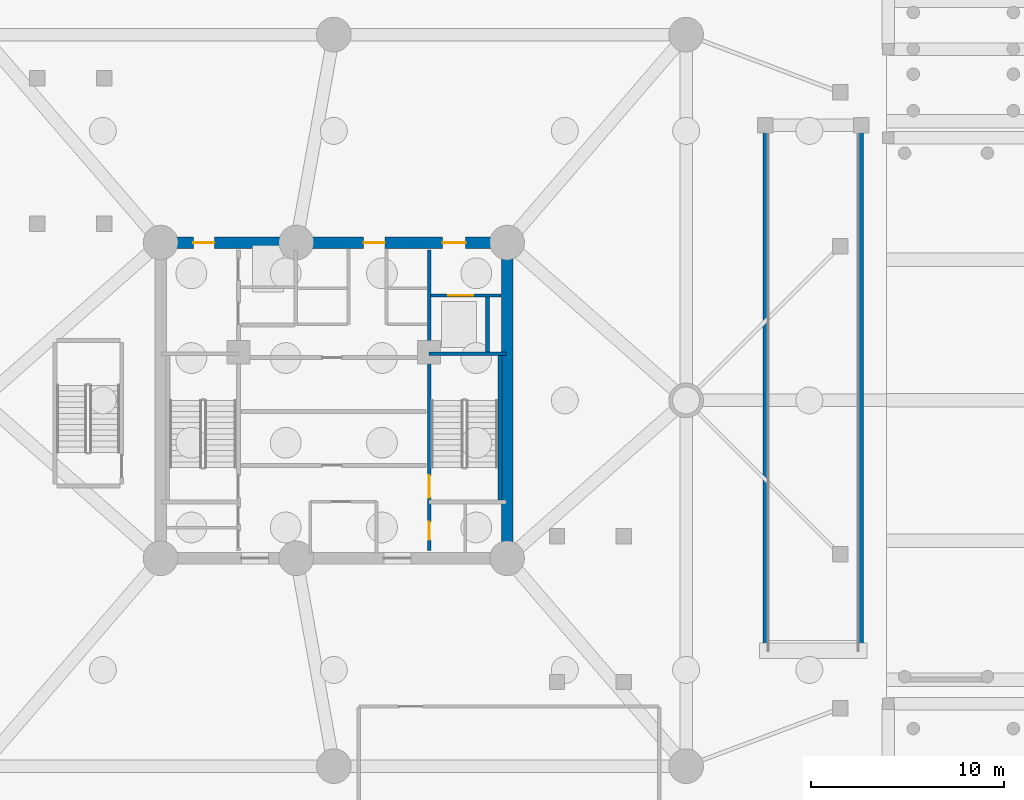
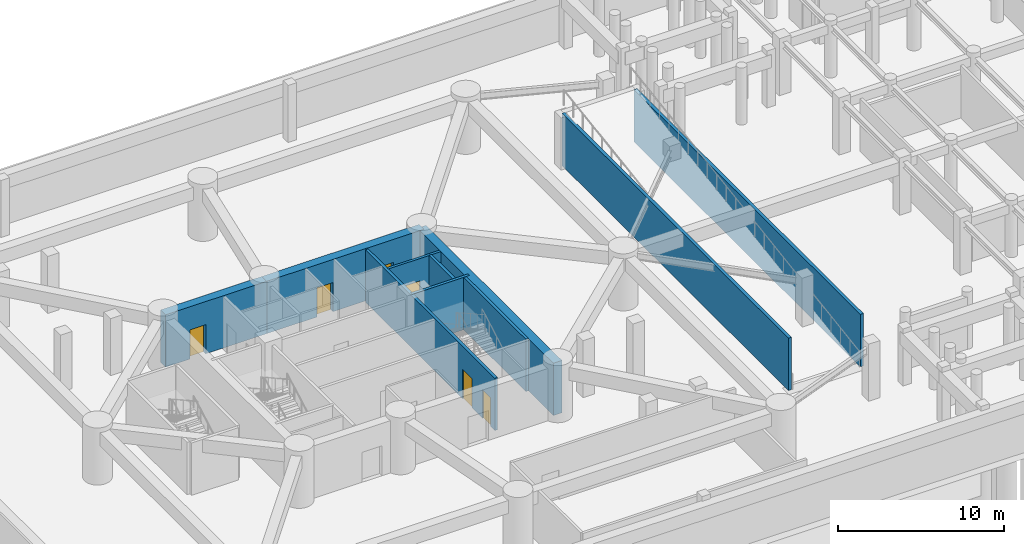
# One storey, part 6 of 13: 10 walls, 6 doors, 6 openings.
"""IFC4 building model written with IfcOpenShell, lengths in metres."""

from ifc_helpers import new_model, si_unit, direction, frame, frame_2d, origin, origin_with_axes, place, context, subcontext, project, spatial, rectangle, extrude, source, transform, mapped, material, layer, layer_set, type_object, element, fill, save


model = new_model("IFC4")

# Units and contexts
model_context = context("Model", 3, precision=1e-05, world=origin(), true_north=direction((0.0, 1.0)))
body_context = subcontext(model_context, "Body", "Model", "MODEL_VIEW")
ifc_project = project(units=[si_unit("LENGTHUNIT", "METRE"), si_unit("AREAUNIT", "SQUARE_METRE"), si_unit("VOLUMEUNIT", "CUBIC_METRE"), si_unit("PLANEANGLEUNIT", "RADIAN"), si_unit("MASSUNIT", "GRAM", prefix="KILO")], contexts=[model_context])

# Site, building, storey
site_placement = place(None, origin())
site = spatial("IfcSite", under=ifc_project, at=site_placement, CompositionType="ELEMENT")
building_placement = place(site_placement, origin())
building = spatial("IfcBuilding", under=site, at=building_placement, Name="Karkom Vertical University and Central Library", CompositionType="ELEMENT")
storey_placement = place(building_placement, frame((0.0, 0.0, -8.39990234375)))
storey = spatial("IfcBuildingStorey", under=building, at=storey_placement, Name="B02", CompositionType="ELEMENT", Elevation=-8.39990234375)

# Wall, opening, door
ifc_material_1 = material(Name="Twin-stud acoustic drywall 180mm", Category="gypsum")
ifc_layer_1 = layer(ifc_material_1, 0.179931640625)
ifc_layer_set_1 = layer_set([ifc_layer_1], Name="Twin-stud acoustic drywall 180mm")
wall_type_1 = type_object("IfcWallType", Name="INT-WL-TEN-180F", PredefinedType="PARTITIONING", material=ifc_layer_set_1)
wall_1_placement = place(storey_placement, frame((33.534912109375, 31.949951171875, 0.0), z_axis=(0.0, 0.0, 1.0), x_axis=(1.0, 0.0, 0.0)))
wall_1 = element("IfcWall", 1, at=wall_1_placement, inside=storey, type_object=wall_type_1, Name="Basement 02 Interior Partition Wall B02-CW-SVL-N", PredefinedType="PARTITIONING", context=body_context, shape_type="SweptSolid", body=[
    extrude(rectangle(XDim=3.658447265625, YDim=0.179931640625, at=frame_2d((1.8291015625, 0.0))), origin(), (0.0, 0.0, 1.0), 3.849853515625),
])
opening_1_placement = place(wall_1_placement, frame((0.89990234375, 0.0, 0.0)))
opening_1 = element("IfcOpeningElement", 2, at=opening_1_placement, cuts=wall_1, Name="Opening LD-SV1", PredefinedType="OPENING", context=body_context, shape_type="SweptSolid", body=[
    extrude(rectangle(XDim=1.300048828125, YDim=2.199951171875, at=frame_2d((0.64990234375, 1.10009765625))), frame((0.0, 0.10009765625, 0.0), z_axis=(0.0, -1.0, 0.0), x_axis=(1.0, 0.0, 0.0)), (0.0, 0.0, 1.0), 0.199951171875),
])
ifc_material_2 = material(Name="Brushed stainless-steel landing door", Category="steel")
door_type_1 = type_object("IfcDoorType", Name="INT-DR-LD-SV1", OperationType="SLIDING_TO_LEFT", PredefinedType="DOOR", material=ifc_material_2)
shared_shape_1 = source(origin_with_axes(), body_context, "Body", "SweptSolid", [
    extrude(rectangle(XDim=1.300048828125, YDim=2.199951171875, at=frame_2d((0.64990234375, 1.10009765625))), frame((0.0, 0.02490234375, 0.0), z_axis=(0.0, -1.0, 0.0), x_axis=(1.0, 0.0, 0.0)), (0.0, 0.0, 1.0), 0.050048828125),
])
door_1_placement = place(opening_1_placement, origin())
door_1 = element("IfcDoor", 3, at=door_1_placement, inside=storey, type_object=door_type_1, Name="Basement 02 Service Lift Landing Door LD-SV1", OperationType="SLIDING_TO_LEFT", OverallHeight=2.199951171875, OverallWidth=1.300048828125, PredefinedType="DOOR", context=body_context, shape_type="MappedRepresentation", body=[
    mapped(shared_shape_1, transform((0.0, 0.0, 0.0), scale=1.0)),
])
fill(opening_1, door_1)

# Walls
ifc_material_3 = material(Name="Concrete C45/55", Category="concrete")
ifc_layer_2 = layer(ifc_material_3, 0.219970703125)
ifc_layer_set_2 = layer_set([ifc_layer_2], Name="Concrete C45/55")
wall_type_2 = type_object("IfcWallType", Name="STR-WL-CW-220", PredefinedType="SHEAR", material=ifc_layer_set_2)
for number, where, z_axis, x_axis, name in (
    (4, (50.89990234375, 13.5, 0.0), (0.0, 0.0, 1.0), (0.0, 1.0, 0.0), "Basement 02 Core Shaft Wall B02-W-RMP1-W"),
    (5, (55.89990234375, 13.5, 0.0), (0.0, 0.0, 1.0), (0.0, 1.0, 0.0), "Basement 02 Core Shaft Wall B02-W-RMP1-E"),
):
    element("IfcWall", number, at=place(storey_placement, frame(where, z_axis=z_axis, x_axis=x_axis)), inside=storey, type_object=wall_type_2, Name=name, PredefinedType="SHEAR", context=body_context, shape_type="SweptSolid", body=[
        extrude(rectangle(XDim=27.300048828125, YDim=0.219970703125, at=frame_2d((13.64990234375, 0.0))), origin(), (0.0, 0.0, 1.0), 3.849853515625),
    ])
ifc_material_4 = material(Name="Concrete C50/60", Category="concrete")
ifc_layer_3 = layer(ifc_material_4, 0.60009765625)
ifc_layer_set_3 = layer_set([ifc_layer_3], Name="Concrete C50/60")
wall_type_3 = type_object("IfcWallType", Name="STR-WL-CW-600", PredefinedType="SHEAR", material=ifc_layer_set_3)
wall_2_placement = place(storey_placement, frame((37.5, 18.300048828125, 0.0), z_axis=(0.0, 0.0, 1.0), x_axis=(0.0, 1.0, 0.0)))
element("IfcWall", 6, at=wall_2_placement, inside=storey, type_object=wall_type_3, Name="Basement 02 Central Core Shear Wall EW", PredefinedType="SHEAR", context=body_context, shape_type="SweptSolid", body=[
    extrude(rectangle(XDim=16.39990234375, YDim=0.60009765625, at=frame_2d((8.199951171875, 0.0))), origin(), (0.0, 0.0, 1.0), 3.849853515625),
])

# Wall, openings, doors
wall_3_placement = place(storey_placement, frame((37.5, 34.699951171875, 0.0), z_axis=(0.0, 0.0, 1.0), x_axis=(-1.0, 0.0, 0.0)))
wall_3 = element("IfcWall", 7, at=wall_3_placement, inside=storey, type_object=wall_type_3, Name="Basement 02 Central Core Shear Wall NW1", PredefinedType="SHEAR", context=body_context, shape_type="SweptSolid", body=[
    extrude(rectangle(XDim=10.949951171875, YDim=0.60009765625, at=frame_2d((5.47509765625, 0.0))), origin(), (0.0, 0.0, 1.0), 3.849853515625),
])
opening_2_placement = place(wall_3_placement, frame((2.14990234375, 0.0, 0.0)))
opening_2 = element("IfcOpeningElement", 8, at=opening_2_placement, cuts=wall_3, Name="Opening FD-SUB1", PredefinedType="OPENING", context=body_context, shape_type="SweptSolid", body=[
    extrude(rectangle(XDim=1.199951171875, YDim=2.14990234375, at=frame_2d((0.60009765625, 1.074951171875))), frame((0.0, 0.31005859375, 0.0), z_axis=(0.0, -1.0, 0.0), x_axis=(1.0, 0.0, 0.0)), (0.0, 0.0, 1.0), 0.6201171875),
])
opening_3_placement = place(wall_3_placement, frame((6.35009765625, 0.0, 0.0)))
opening_3 = element("IfcOpeningElement", 9, at=opening_3_placement, cuts=wall_3, Name="Opening FD-FFL", PredefinedType="OPENING", context=body_context, shape_type="SweptSolid", body=[
    extrude(rectangle(XDim=1.10009765625, YDim=2.14990234375, at=frame_2d((0.550048828125, 1.074951171875))), frame((0.0, 0.31005859375, 0.0), z_axis=(0.0, -1.0, 0.0), x_axis=(1.0, 0.0, 0.0)), (0.0, 0.0, 1.0), 0.6201171875),
])
ifc_material_5 = material(Name="Painted steel smoke-seal fire door", Category="steel")
door_type_2 = type_object("IfcDoorType", Name="INT-DR-FFL", OperationType="NOTDEFINED", PredefinedType="DOOR", material=ifc_material_5)
shared_shape_2 = source(origin_with_axes(), body_context, "Body", "SweptSolid", [
    extrude(rectangle(XDim=1.10009765625, YDim=2.14990234375, at=frame_2d((0.550048828125, 1.074951171875))), frame((0.0, 0.02490234375, 0.0), z_axis=(0.0, -1.0, 0.0), x_axis=(1.0, 0.0, 0.0)), (0.0, 0.0, 1.0), 0.050048828125),
])
door_2_placement = place(opening_3_placement, origin())
door_2 = element("IfcDoor", 10, at=door_2_placement, inside=storey, type_object=door_type_2, Name="Basement 02 North Core Lobby Exit Door", OperationType="SINGLE_SWING_RIGHT", OverallHeight=2.14990234375, OverallWidth=1.10009765625, PredefinedType="DOOR", context=body_context, shape_type="MappedRepresentation", body=[
    mapped(shared_shape_2, transform((0.0, 0.0, 0.0), scale=1.0)),
])
fill(opening_3, door_2)
ifc_material_6 = material(Name="Painted steel fire door", Category="steel")
door_type_3 = type_object("IfcDoorType", Name="INT-DR-SUB1", OperationType="NOTDEFINED", PredefinedType="DOOR", material=ifc_material_6)
shared_shape_3 = source(origin_with_axes(), body_context, "Body", "SweptSolid", [
    extrude(rectangle(XDim=1.199951171875, YDim=2.14990234375, at=frame_2d((0.60009765625, 1.074951171875))), frame((0.0, 0.02490234375, 0.0), z_axis=(0.0, -1.0, 0.0), x_axis=(1.0, 0.0, 0.0)), (0.0, 0.0, 1.0), 0.050048828125),
])
door_3_placement = place(opening_2_placement, origin())
door_3 = element("IfcDoor", 11, at=door_3_placement, inside=storey, type_object=door_type_3, Name="Basement 02 Service Lobby Fire Door", OperationType="SINGLE_SWING_LEFT", OverallHeight=2.14990234375, OverallWidth=1.199951171875, PredefinedType="DOOR", context=body_context, shape_type="MappedRepresentation", body=[
    mapped(shared_shape_3, transform((0.0, 0.0, 0.0), scale=1.0)),
])
fill(opening_2, door_3)

# Wall, opening, door
wall_4_placement = place(storey_placement, frame((26.550048828125, 34.699951171875, 0.0), z_axis=(0.0, 0.0, 1.0), x_axis=(-1.0, 0.0, 0.0)))
wall_4 = element("IfcWall", 12, at=wall_4_placement, inside=storey, type_object=wall_type_3, Name="Basement 02 Central Core Shear Wall NW2", PredefinedType="SHEAR", context=body_context, shape_type="SweptSolid", body=[
    extrude(rectangle(XDim=7.050048828125, YDim=0.60009765625, at=frame_2d((3.52490234375, 0.0))), origin(), (0.0, 0.0, 1.0), 3.849853515625),
])
opening_4_placement = place(wall_4_placement, frame((4.25, 0.0, 0.0)))
opening_4 = element("IfcOpeningElement", 13, at=opening_4_placement, cuts=wall_4, Name="Opening FD-FFL", PredefinedType="OPENING", context=body_context, shape_type="SweptSolid", body=[
    extrude(rectangle(XDim=1.10009765625, YDim=2.14990234375, at=frame_2d((0.550048828125, 1.074951171875))), frame((0.0, 0.31005859375, 0.0), z_axis=(0.0, -1.0, 0.0), x_axis=(1.0, 0.0, 0.0)), (0.0, 0.0, 1.0), 0.6201171875),
])
door_4_placement = place(opening_4_placement, origin())
door_4 = element("IfcDoor", 14, at=door_4_placement, inside=storey, type_object=door_type_2, Name="Basement 02 Firefighting Lobby Door", OperationType="SINGLE_SWING_LEFT", OverallHeight=2.14990234375, OverallWidth=1.10009765625, PredefinedType="DOOR", context=body_context, shape_type="MappedRepresentation", body=[
    mapped(shared_shape_2, transform((0.0, 0.0, 0.0), scale=1.0)),
])
fill(opening_4, door_4)

# Wall, openings, doors
ifc_layer_4 = layer(ifc_material_3, 0.199951171875)
ifc_layer_set_4 = layer_set([ifc_layer_4], Name="Concrete C45/55")
wall_type_4 = type_object("IfcWallType", Name="STR-WL-ST-200", PredefinedType="SHEAR", material=ifc_layer_set_4)
wall_5_placement = place(storey_placement, frame((33.455078125, 18.699951171875, 0.0), z_axis=(0.0, 0.0, 1.0), x_axis=(0.0, 1.0, 0.0)))
wall_5 = element("IfcWall", 15, at=wall_5_placement, inside=storey, type_object=wall_type_4, Name="Basement 02 Core Shaft Wall B02-CW-ST2-W", PredefinedType="SHEAR", context=body_context, shape_type="SweptSolid", body=[
    extrude(rectangle(XDim=15.60009765625, YDim=0.199951171875, at=frame_2d((7.800048828125, 0.0))), origin(), (0.0, 0.0, 1.0), 3.849853515625),
])
opening_5_placement = place(wall_5_placement, frame((2.75, 0.0, 0.0)))
opening_5 = element("IfcOpeningElement", 16, at=opening_5_placement, cuts=wall_5, Name="Opening FD-ST1", PredefinedType="OPENING", context=body_context, shape_type="SweptSolid", body=[
    extrude(rectangle(XDim=1.14990234375, YDim=2.14990234375, at=frame_2d((0.574951171875, 1.074951171875))), frame((0.0, 0.10986328125, 0.0), z_axis=(0.0, -1.0, 0.0), x_axis=(1.0, 0.0, 0.0)), (0.0, 0.0, 1.0), 0.219970703125),
])
opening_6_placement = place(wall_5_placement, frame((0.550048828125, 0.0, 0.0)))
opening_6 = element("IfcOpeningElement", 17, at=opening_6_placement, cuts=wall_5, Name="Opening D-WC1", PredefinedType="OPENING", context=body_context, shape_type="SweptSolid", body=[
    extrude(rectangle(XDim=0.93994140625, YDim=2.10009765625, at=frame_2d((0.469970703125, 1.050048828125))), frame((0.0, 0.10986328125, 0.0), z_axis=(0.0, -1.0, 0.0), x_axis=(1.0, 0.0, 0.0)), (0.0, 0.0, 1.0), 0.219970703125),
])
ifc_material_7 = material(Name="Painted steel acoustic fire door", Category="steel")
door_type_4 = type_object("IfcDoorType", Name="INT-DR-ST1", OperationType="NOTDEFINED", PredefinedType="DOOR", material=ifc_material_7)
shared_shape_4 = source(origin_with_axes(), body_context, "Body", "SweptSolid", [
    extrude(rectangle(XDim=1.14990234375, YDim=2.14990234375, at=frame_2d((0.574951171875, 1.074951171875))), frame((0.0, 0.02490234375, 0.0), z_axis=(0.0, -1.0, 0.0), x_axis=(1.0, 0.0, 0.0)), (0.0, 0.0, 1.0), 0.050048828125),
])
door_5_placement = place(opening_5_placement, origin())
door_5 = element("IfcDoor", 18, at=door_5_placement, inside=storey, type_object=door_type_4, Name="Basement 02 Stair ST-2 Fire Door", OperationType="SINGLE_SWING_RIGHT", OverallHeight=2.14990234375, OverallWidth=1.14990234375, PredefinedType="DOOR", context=body_context, shape_type="MappedRepresentation", body=[
    mapped(shared_shape_4, transform((0.0, 0.0, 0.0), scale=1.0)),
])
fill(opening_5, door_5)
ifc_material_8 = material(Name="Fire-rated laminate moisture-resistant door", Category="wood")
door_type_5 = type_object("IfcDoorType", Name="INT-DR-WC1", OperationType="NOTDEFINED", PredefinedType="DOOR", material=ifc_material_8)
shared_shape_5 = source(origin_with_axes(), body_context, "Body", "SweptSolid", [
    extrude(rectangle(XDim=0.93994140625, YDim=2.10009765625, at=frame_2d((0.469970703125, 1.050048828125))), frame((0.0, 0.02490234375, 0.0), z_axis=(0.0, -1.0, 0.0), x_axis=(1.0, 0.0, 0.0)), (0.0, 0.0, 1.0), 0.050048828125),
])
door_6_placement = place(opening_6_placement, origin())
door_6 = element("IfcDoor", 19, at=door_6_placement, inside=storey, type_object=door_type_5, Name="Basement 02 Accessible WC Door", OperationType="SINGLE_SWING_RIGHT", OverallHeight=2.10009765625, OverallWidth=0.93994140625, PredefinedType="DOOR", context=body_context, shape_type="MappedRepresentation", body=[
    mapped(shared_shape_5, transform((0.0, 0.0, 0.0), scale=1.0)),
])
fill(opening_6, door_6)

# Walls
wall_6_placement = place(storey_placement, frame((37.125, 21.320068359375, 0.0), z_axis=(0.0, 0.0, 1.0), x_axis=(0.0, 1.0, 0.0)))
element("IfcWall", 20, at=wall_6_placement, inside=storey, type_object=wall_type_4, Name="Basement 02 Core Shaft Wall B02-CW-ST2-E", PredefinedType="SHEAR", context=body_context, shape_type="SweptSolid", body=[
    extrude(rectangle(XDim=7.5, YDim=0.199951171875, at=frame_2d((3.75, 0.0))), origin(), (0.0, 0.0, 1.0), 3.849853515625),
])
wall_7_placement = place(storey_placement, frame((33.455078125, 28.925048828125, 0.0), z_axis=(0.0, 0.0, 1.0), x_axis=(1.0, 0.0, 0.0)))
element("IfcWall", 21, at=wall_7_placement, inside=storey, type_object=wall_type_4, Name="Basement 02 Core Shaft Wall B02-CW-ST2-N", PredefinedType="SHEAR", context=body_context, shape_type="SweptSolid", body=[
    extrude(rectangle(XDim=3.994873046875, YDim=0.199951171875, at=frame_2d((1.99755859375, 0.0))), origin(), (0.0, 0.0, 1.0), 3.849853515625),
])
wall_8_placement = place(storey_placement, frame((36.47998046875, 29.02001953125, 0.0), z_axis=(0.0, 0.0, 1.0), x_axis=(0.0, 1.0, 0.0)))
element("IfcWall", 22, at=wall_8_placement, inside=storey, type_object=wall_type_4, Name="Basement 02 Core Shaft Wall B02-CW-SVL-E", PredefinedType="SHEAR", context=body_context, shape_type="SweptSolid", body=[
    extrude(rectangle(XDim=2.85986328125, YDim=0.199951171875, at=frame_2d((1.429931640625, 0.0))), origin(), (0.0, 0.0, 1.0), 3.849853515625),
])

save(model, "model.ifc")
